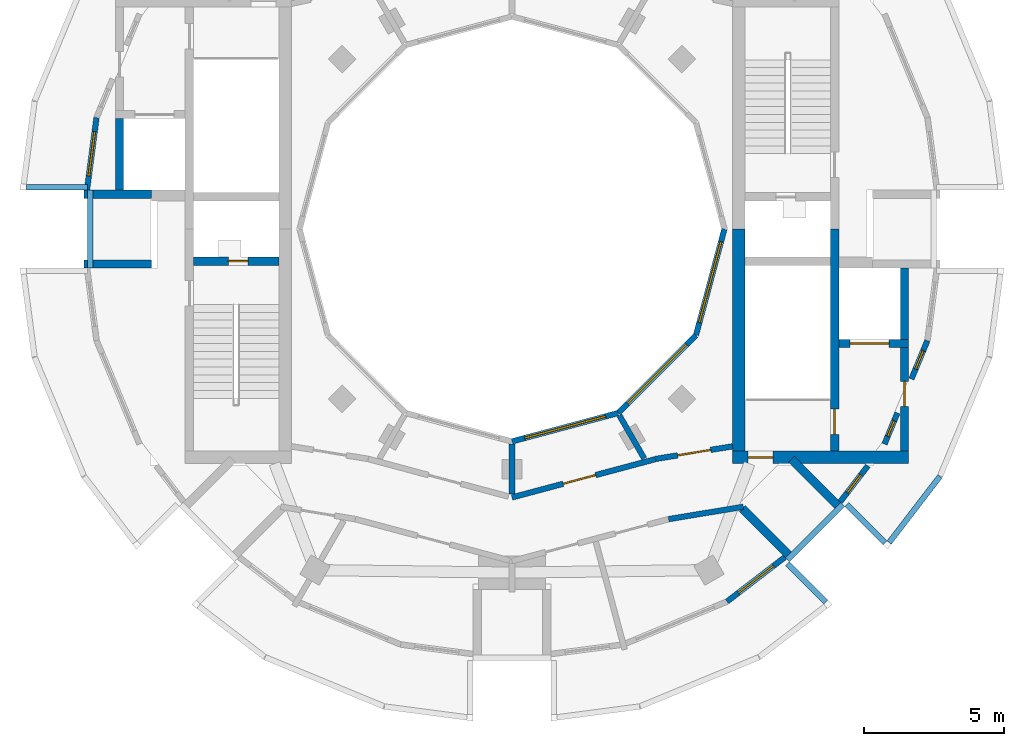
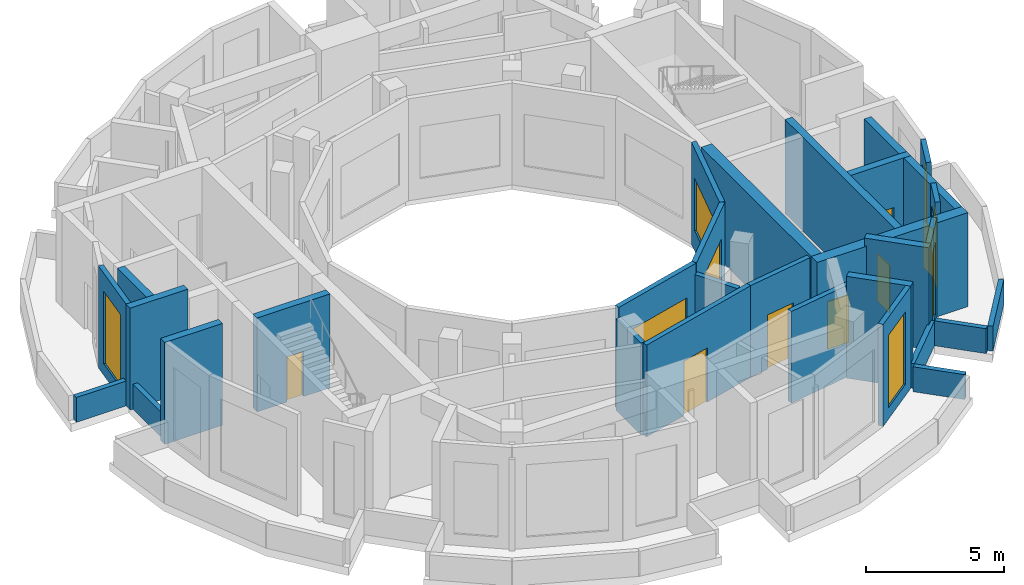
# One storey, part 3 of 7: 31 walls, 8 windows, 7 doors, 15 openings.
"""IFC4 building model written with IfcOpenShell, lengths in metres."""

from ifc_helpers import new_model, si_unit, direction, frame, frame_2d, origin, place, context, subcontext, project, spatial, rectangle, extrude, material, layer, layer_set, type_object, element, fill, save


model = new_model("IFC4")

# Units and contexts
model_context = context("Model", 3, precision=1e-05, world=origin(), true_north=direction((0.0, 1.0)))
body_context = subcontext(model_context, "Body", "Model", "MODEL_VIEW")
ifc_project = project(units=[si_unit("LENGTHUNIT", "METRE"), si_unit("AREAUNIT", "SQUARE_METRE"), si_unit("VOLUMEUNIT", "CUBIC_METRE"), si_unit("PLANEANGLEUNIT", "RADIAN"), si_unit("MASSUNIT", "GRAM", prefix="KILO")], contexts=[model_context])

# Site, building, storey
site_placement = place(None, origin())
site = spatial("IfcSite", under=ifc_project, at=site_placement, CompositionType="ELEMENT")
building_placement = place(site_placement, origin())
building = spatial("IfcBuilding", under=site, at=building_placement, Name="Torre Brocal", CompositionType="ELEMENT")
storey_placement = place(building_placement, frame((0.0, 0.0, 333.10009765625)))
storey = spatial("IfcBuildingStorey", under=building, at=storey_placement, Name="L76", CompositionType="ELEMENT", Elevation=333.10009765625)

# Wall, opening, door
ifc_material_1 = material(Name="Concrete C50", Category="concrete")
ifc_layer_1 = layer(ifc_material_1, 0.300048828125)
ifc_layer_set_1 = layer_set([ifc_layer_1], Name="Concrete C50")
wall_type_1 = type_object("IfcWallType", Name="CORE WALL 300 C50 UNDER 350 SLAB", PredefinedType="SHEAR", material=ifc_layer_set_1)
wall_1_placement = place(storey_placement, frame((91.550048828125, 67.050048828125, 0.0), z_axis=(0.0, 0.0, 1.0), x_axis=(0.0, 1.0, 0.0)))
wall_1 = element("IfcWall", 1, at=wall_1_placement, inside=storey, type_object=wall_type_1, Name="Wall CW300-50-S350", PredefinedType="SHEAR", context=body_context, shape_type="SweptSolid", body=[
    extrude(rectangle(XDim=7.949951171875, YDim=0.300048828125, at=frame_2d((3.97509765625, 0.0))), origin(), (0.0, 0.0, 1.0), 4.14990234375),
])
opening_1_placement = place(wall_1_placement, frame((0.60009765625, 0.0, 0.0)))
opening_1 = element("IfcOpeningElement", 2, at=opening_1_placement, cuts=wall_1, Name="Opening E-D03", PredefinedType="OPENING", context=body_context, shape_type="SweptSolid", body=[
    extrude(rectangle(XDim=0.89990234375, YDim=2.10009765625, at=frame_2d((0.449951171875, 1.050048828125))), frame((0.0, 0.159912109375, 0.0), z_axis=(0.0, -1.0, 0.0), x_axis=(1.0, 0.0, 0.0)), (0.0, 0.0, 1.0), 0.320068359375),
])
ifc_material_2 = material(Name="Steel A653", Category="steel")
door_type_1 = type_object("IfcDoorType", Name="STAIR DOOR FD120 900X2100", OperationType="SINGLE_SWING_RIGHT", PredefinedType="DOOR", material=ifc_material_2)
door_1_placement = place(opening_1_placement, origin())
door_1 = element("IfcDoor", 3, at=door_1_placement, inside=storey, type_object=door_type_1, Name="Door E-D03", OperationType="SINGLE_SWING_LEFT", OverallHeight=2.10009765625, OverallWidth=0.89990234375, PredefinedType="DOOR", context=body_context, shape_type="SweptSolid", body=[
    extrude(rectangle(XDim=0.89990234375, YDim=2.10009765625, at=frame_2d((0.449951171875, 1.050048828125))), frame((0.0, 0.02490234375, 0.0), z_axis=(0.0, -1.0, 0.0), x_axis=(1.0, 0.0, 0.0)), (0.0, 0.0, 1.0), 0.050048828125),
])
fill(opening_1, door_1)

wall_2_placement = place(storey_placement, frame((91.699951171875, 70.89990234375, 0.0), z_axis=(0.0, 0.0, 1.0), x_axis=(1.0, 0.0, 0.0)))
wall_2 = element("IfcWall", 4, at=wall_2_placement, inside=storey, type_object=wall_type_1, Name="Wall CW300-50-S350", PredefinedType="SHEAR", context=body_context, shape_type="SweptSolid", body=[
    extrude(rectangle(XDim=2.5, YDim=0.300048828125, at=frame_2d((1.25, 0.0))), origin(), (0.0, 0.0, 1.0), 4.14990234375),
])
opening_2_placement = place(wall_2_placement, frame((0.39990234375, 0.0, 0.0)))
opening_2 = element("IfcOpeningElement", 5, at=opening_2_placement, cuts=wall_2, Name="Opening LD14", PredefinedType="OPENING", context=body_context, shape_type="SweptSolid", body=[
    extrude(rectangle(XDim=1.39990234375, YDim=2.10009765625, at=frame_2d((0.699951171875, 1.050048828125))), frame((0.0, 0.159912109375, 0.0), z_axis=(0.0, -1.0, 0.0), x_axis=(1.0, 0.0, 0.0)), (0.0, 0.0, 1.0), 0.320068359375),
])
ifc_material_3 = material(Name="Stainless steel AISI 316", Category="steel")
door_type_2 = type_object("IfcDoorType", Name="LIFT LANDING DOOR 1400X2100", OperationType="DOUBLE_DOOR_SLIDING", PredefinedType="DOOR", material=ifc_material_3)
door_2_placement = place(opening_2_placement, origin())
door_2 = element("IfcDoor", 6, at=door_2_placement, inside=storey, type_object=door_type_2, Name="Door LD14", OperationType="DOUBLE_DOOR_SLIDING", OverallHeight=2.10009765625, OverallWidth=1.39990234375, PredefinedType="DOOR", context=body_context, shape_type="SweptSolid", body=[
    extrude(rectangle(XDim=1.39990234375, YDim=2.10009765625, at=frame_2d((0.699951171875, 1.050048828125))), frame((0.0, 0.02490234375, 0.0), z_axis=(0.0, -1.0, 0.0), x_axis=(1.0, 0.0, 0.0)), (0.0, 0.0, 1.0), 0.050048828125),
])
fill(opening_2, door_2)

# Wall
wall_3_placement = place(storey_placement, frame((94.050048828125, 71.050048828125, 0.0), z_axis=(0.0, 0.0, 1.0), x_axis=(0.0, 1.0, 0.0)))
element("IfcWall", 7, at=wall_3_placement, inside=storey, type_object=wall_type_1, Name="Wall CW300-50-S350", PredefinedType="SHEAR", context=body_context, shape_type="SweptSolid", body=[
    extrude(rectangle(XDim=2.550048828125, YDim=0.300048828125, at=frame_2d((1.27490234375, 0.0))), origin(), (0.0, 0.0, 1.0), 4.14990234375),
])

# Wall, opening, door
wall_4_placement = place(storey_placement, frame((94.050048828125, 67.050048828125, 0.0), z_axis=(0.0, 0.0, 1.0), x_axis=(0.0, 1.0, 0.0)))
wall_4 = element("IfcWall", 8, at=wall_4_placement, inside=storey, type_object=wall_type_1, Name="Wall CW300-50-S350", PredefinedType="SHEAR", context=body_context, shape_type="SweptSolid", body=[
    extrude(rectangle(XDim=3.699951171875, YDim=0.300048828125, at=frame_2d((1.85009765625, 0.0))), origin(), (0.0, 0.0, 1.0), 4.14990234375),
])
opening_3_placement = place(wall_4_placement, frame((1.60009765625, 0.0, 0.0)))
opening_3 = element("IfcOpeningElement", 9, at=opening_3_placement, cuts=wall_4, Name="Opening E-D04", PredefinedType="OPENING", context=body_context, shape_type="SweptSolid", body=[
    extrude(rectangle(XDim=0.89990234375, YDim=2.10009765625, at=frame_2d((0.449951171875, 1.050048828125))), frame((0.0, 0.159912109375, 0.0), z_axis=(0.0, -1.0, 0.0), x_axis=(1.0, 0.0, 0.0)), (0.0, 0.0, 1.0), 0.320068359375),
])
ifc_material_4 = material(Name="Steel A653", Category="steel")
door_type_3 = type_object("IfcDoorType", Name="ROOM DOOR FD30S 900X2100", OperationType="SINGLE_SWING_LEFT", PredefinedType="DOOR", material=ifc_material_4)
door_3_placement = place(opening_3_placement, frame((0.89990234375, 0.0, 0.0), z_axis=(0.0, 0.0, 1.0), x_axis=(-1.0, 0.0, 0.0)))
door_3 = element("IfcDoor", 10, at=door_3_placement, inside=storey, type_object=door_type_3, Name="Door E-D04", OperationType="SINGLE_SWING_LEFT", OverallHeight=2.10009765625, OverallWidth=0.89990234375, PredefinedType="DOOR", context=body_context, shape_type="SweptSolid", body=[
    extrude(rectangle(XDim=0.89990234375, YDim=2.10009765625, at=frame_2d((0.449951171875, 1.050048828125))), frame((0.0, 0.02490234375, 0.0), z_axis=(0.0, -1.0, 0.0), x_axis=(1.0, 0.0, 0.0)), (0.0, 0.0, 1.0), 0.050048828125),
])
fill(opening_3, door_3)

wall_5_placement = place(storey_placement, frame((71.64990234375, 73.85009765625, 0.0), z_axis=(0.0, 0.0, 1.0), x_axis=(-1.0, 0.0, 0.0)))
wall_5 = element("IfcWall", 11, at=wall_5_placement, inside=storey, type_object=wall_type_1, Name="Wall CW300-50-S350", PredefinedType="SHEAR", context=body_context, shape_type="SweptSolid", body=[
    extrude(rectangle(XDim=3.0498046875, YDim=0.300048828125, at=frame_2d((1.52490234375, 0.0))), origin(), (0.0, 0.0, 1.0), 4.14990234375),
])
opening_4_placement = place(wall_5_placement, frame((1.10009765625, 0.0, 0.0)))
opening_4 = element("IfcOpeningElement", 12, at=opening_4_placement, cuts=wall_5, Name="Opening W-D01", PredefinedType="OPENING", context=body_context, shape_type="SweptSolid", body=[
    extrude(rectangle(XDim=0.699951171875, YDim=2.0, at=frame_2d((0.35009765625, 1.0))), frame((0.0, 0.159912109375, 0.0), z_axis=(0.0, -1.0, 0.0), x_axis=(1.0, 0.0, 0.0)), (0.0, 0.0, 1.0), 0.320068359375),
])
ifc_material_5 = material(Name="Steel A653", Category="steel")
door_type_4 = type_object("IfcDoorType", Name="RISER DOOR FD120 700X2000", OperationType="SINGLE_SWING_LEFT", PredefinedType="DOOR", material=ifc_material_5)
door_4_placement = place(opening_4_placement, frame((0.699951171875, 0.0, 0.0), z_axis=(0.0, 0.0, 1.0), x_axis=(-1.0, 0.0, 0.0)))
door_4 = element("IfcDoor", 13, at=door_4_placement, inside=storey, type_object=door_type_4, Name="Door W-D01", OperationType="SINGLE_SWING_RIGHT", OverallHeight=2.0, OverallWidth=0.699951171875, PredefinedType="DOOR", context=body_context, shape_type="SweptSolid", body=[
    extrude(rectangle(XDim=0.699951171875, YDim=2.0, at=frame_2d((0.35009765625, 1.0))), frame((0.0, 0.02490234375, 0.0), z_axis=(0.0, -1.0, 0.0), x_axis=(1.0, 0.0, 0.0)), (0.0, 0.0, 1.0), 0.050048828125),
])
fill(opening_4, door_4)

# Wall
wall_6_placement = place(storey_placement, frame((65.949951171875, 78.949951171875, 0.0), z_axis=(0.0, 0.0, 1.0), x_axis=(0.0, -1.0, 0.0)))
element("IfcWall", 14, at=wall_6_placement, inside=storey, type_object=wall_type_1, Name="Wall CW300-50-S350", PredefinedType="SHEAR", context=body_context, shape_type="SweptSolid", body=[
    extrude(rectangle(XDim=2.550048828125, YDim=0.300048828125, at=frame_2d((1.27490234375, 0.0))), origin(), (0.0, 0.0, 1.0), 4.14990234375),
])

# Wall, opening, door
ifc_material_6 = material(Name="Concrete C50", Category="concrete")
ifc_layer_2 = layer(ifc_material_6, 0.449951171875)
ifc_layer_set_2 = layer_set([ifc_layer_2], Name="Concrete C50")
wall_type_2 = type_object("IfcWallType", Name="CORE WALL 450 C50 UNDER 350 SLAB", PredefinedType="SHEAR", material=ifc_layer_set_2)
wall_7_placement = place(storey_placement, frame((87.89990234375, 66.824951171875, 0.0), z_axis=(0.0, 0.0, 1.0), x_axis=(1.0, 0.0, 0.0)))
wall_7 = element("IfcWall", 15, at=wall_7_placement, inside=storey, type_object=wall_type_2, Name="Wall CW450-50-S350", PredefinedType="SHEAR", context=body_context, shape_type="SweptSolid", body=[
    extrude(rectangle(XDim=6.300048828125, YDim=0.449951171875, at=frame_2d((3.14990234375, 0.0))), origin(), (0.0, 0.0, 1.0), 4.14990234375),
])
opening_5_placement = place(wall_7_placement, frame((0.550048828125, 0.0, 0.0)))
opening_5 = element("IfcOpeningElement", 16, at=opening_5_placement, cuts=wall_7, Name="Opening E-D20", PredefinedType="OPENING", context=body_context, shape_type="SweptSolid", body=[
    extrude(rectangle(XDim=0.89990234375, YDim=2.10009765625, at=frame_2d((0.449951171875, 1.050048828125))), frame((0.0, 0.23486328125, 0.0), z_axis=(0.0, -1.0, 0.0), x_axis=(1.0, 0.0, 0.0)), (0.0, 0.0, 1.0), 0.469970703125),
])
door_5_placement = place(opening_5_placement, origin())
door_5 = element("IfcDoor", 17, at=door_5_placement, inside=storey, type_object=door_type_1, Name="Door E-D20", OperationType="SINGLE_SWING_LEFT", OverallHeight=2.10009765625, OverallWidth=0.89990234375, PredefinedType="DOOR", context=body_context, shape_type="SweptSolid", body=[
    extrude(rectangle(XDim=0.89990234375, YDim=2.10009765625, at=frame_2d((0.449951171875, 1.050048828125))), frame((0.0, 0.02490234375, 0.0), z_axis=(0.0, -1.0, 0.0), x_axis=(1.0, 0.0, 0.0)), (0.0, 0.0, 1.0), 0.050048828125),
])
fill(opening_5, door_5)

# Wall
wall_8_placement = place(storey_placement, frame((88.125, 67.050048828125, 0.0), z_axis=(0.0, 0.0, 1.0), x_axis=(0.0, 1.0, 0.0)))
element("IfcWall", 18, at=wall_8_placement, inside=storey, type_object=wall_type_2, Name="Wall CW450-50-S350", PredefinedType="SHEAR", context=body_context, shape_type="SweptSolid", body=[
    extrude(rectangle(XDim=7.949951171875, YDim=0.449951171875, at=frame_2d((3.97509765625, 0.0))), origin(), (0.0, 0.0, 1.0), 4.14990234375),
])

# Wall, opening, window
ifc_material_7 = material(Name="Concrete C40", Category="concrete")
ifc_layer_3 = layer(ifc_material_7, 0.199951171875)
ifc_layer_set_3 = layer_set([ifc_layer_3], Name="Concrete C40")
wall_type_3 = type_object("IfcWallType", Name="LOUVRED PLANT WALL 200", PredefinedType="NOTDEFINED", material=ifc_layer_set_3)
wall_9_placement = place(storey_placement, frame((65.12548828125, 78.985595703125, 0.0), z_axis=(0.0, 0.0, 1.0), x_axis=(-0.130495678972, -0.991448878041, 0.0)))
wall_9 = element("IfcWall", 19, at=wall_9_placement, inside=storey, type_object=wall_type_3, Name="LOUVRED PLANT WALL", PredefinedType="NOTDEFINED", context=body_context, shape_type="SweptSolid", body=[
    extrude(rectangle(XDim=2.60791015625, YDim=0.199951171875, at=frame_2d((1.303955078125, 0.0))), origin(), (0.0, 0.0, 1.0), 4.5),
])
opening_6_placement = place(wall_9_placement, frame((0.50390625, 0.0, 0.5)))
opening_6 = element("IfcOpeningElement", 20, at=opening_6_placement, cuts=wall_9, Name="Opening LV-1600-3200", PredefinedType="OPENING", context=body_context, shape_type="SweptSolid", body=[
    extrude(rectangle(XDim=1.60009765625, YDim=3.199951171875, at=frame_2d((0.800048828125, 1.60009765625))), frame((0.0, 0.10986328125, 0.0), z_axis=(0.0, -1.0, 0.0), x_axis=(1.0, 0.0, 0.0)), (0.0, 0.0, 1.0), 0.219970703125),
])
ifc_material_8 = material(Name="Aluminium louvre", Category="aluminium")
window_type_1 = type_object("IfcWindowType", Name="LOUVRE PANEL 1600X3200", PartitioningType="SINGLE_PANEL", PredefinedType="USERDEFINED", material=ifc_material_8)
window_1_placement = place(opening_6_placement, origin())
window_1 = element("IfcWindow", 21, at=window_1_placement, inside=storey, type_object=window_type_1, Name="LOUVRE PANEL 1600X3200", ObjectType="LOUVRE", OverallHeight=3.199951171875, OverallWidth=1.60009765625, PartitioningType="SINGLE_PANEL", PredefinedType="USERDEFINED", context=body_context, shape_type="SweptSolid", body=[
    extrude(rectangle(XDim=1.60009765625, YDim=3.199951171875, at=frame_2d((0.800048828125, 1.60009765625))), frame((0.0, 0.030029296875, 0.0), z_axis=(0.0, -1.0, 0.0), x_axis=(1.0, 0.0, 0.0)), (0.0, 0.0, 1.0), 0.06005859375),
])
fill(opening_6, window_1)

wall_10_placement = place(storey_placement, frame((87.699462890625, 61.6640625, 0.0), z_axis=(0.0, 0.0, 1.0), x_axis=(0.793402901715, 0.608696833859, 0.0)))
wall_10 = element("IfcWall", 22, at=wall_10_placement, inside=storey, type_object=wall_type_3, Name="LOUVRED PLANT WALL", PredefinedType="NOTDEFINED", context=body_context, shape_type="SweptSolid", body=[
    extrude(rectangle(XDim=2.60791015625, YDim=0.199951171875, at=frame_2d((1.303955078125, 0.0))), origin(), (0.0, 0.0, 1.0), 4.5),
])
opening_7_placement = place(wall_10_placement, frame((0.50390625, 0.0, 0.5)))
opening_7 = element("IfcOpeningElement", 23, at=opening_7_placement, cuts=wall_10, Name="Opening LV-1600-3200", PredefinedType="OPENING", context=body_context, shape_type="SweptSolid", body=[
    extrude(rectangle(XDim=1.60009765625, YDim=3.199951171875, at=frame_2d((0.800048828125, 1.60009765625))), frame((0.0, 0.10986328125, 0.0), z_axis=(0.0, -1.0, 0.0), x_axis=(1.0, 0.0, 0.0)), (0.0, 0.0, 1.0), 0.219970703125),
])
window_2_placement = place(opening_7_placement, origin())
window_2 = element("IfcWindow", 24, at=window_2_placement, inside=storey, type_object=window_type_1, Name="LOUVRE PANEL 1600X3200", ObjectType="LOUVRE", OverallHeight=3.199951171875, OverallWidth=1.60009765625, PartitioningType="SINGLE_PANEL", PredefinedType="USERDEFINED", context=body_context, shape_type="SweptSolid", body=[
    extrude(rectangle(XDim=1.60009765625, YDim=3.199951171875, at=frame_2d((0.800048828125, 1.60009765625))), frame((0.0, 0.030029296875, 0.0), z_axis=(0.0, -1.0, 0.0), x_axis=(1.0, 0.0, 0.0)), (0.0, 0.0, 1.0), 0.06005859375),
])
fill(opening_7, window_2)

wall_11_placement = place(storey_placement, frame((91.74853515625, 65.2314453125, 0.0), z_axis=(0.0, 0.0, 1.0), x_axis=(0.608711363192, 0.793391754633, 0.0)))
wall_11 = element("IfcWall", 25, at=wall_11_placement, inside=storey, type_object=wall_type_3, Name="LOUVRED PLANT WALL", PredefinedType="NOTDEFINED", context=body_context, shape_type="SweptSolid", body=[
    extrude(rectangle(XDim=1.6298828125, YDim=0.199951171875, at=frame_2d((0.81494140625, 0.0))), origin(), (0.0, 0.0, 1.0), 4.5),
])
opening_8_placement = place(wall_11_placement, frame((0.4150390625, 0.0, 0.5)))
opening_8 = element("IfcOpeningElement", 26, at=opening_8_placement, cuts=wall_11, Name="Opening LV-800-3200", PredefinedType="OPENING", context=body_context, shape_type="SweptSolid", body=[
    extrude(rectangle(XDim=0.800048828125, YDim=3.199951171875, at=frame_2d((0.39990234375, 1.60009765625))), frame((0.0, 0.10986328125, 0.0), z_axis=(0.0, -1.0, 0.0), x_axis=(1.0, 0.0, 0.0)), (0.0, 0.0, 1.0), 0.219970703125),
])
ifc_material_9 = material(Name="Aluminium louvre", Category="aluminium")
window_type_2 = type_object("IfcWindowType", Name="LOUVRE PANEL 800X3200", PartitioningType="SINGLE_PANEL", PredefinedType="USERDEFINED", material=ifc_material_9)
window_3_placement = place(opening_8_placement, origin())
window_3 = element("IfcWindow", 27, at=window_3_placement, inside=storey, type_object=window_type_2, Name="LOUVRE PANEL 800X3200", ObjectType="LOUVRE", OverallHeight=3.199951171875, OverallWidth=0.800048828125, PartitioningType="SINGLE_PANEL", PredefinedType="USERDEFINED", context=body_context, shape_type="SweptSolid", body=[
    extrude(rectangle(XDim=0.800048828125, YDim=3.199951171875, at=frame_2d((0.39990234375, 1.60009765625))), frame((0.0, 0.030029296875, 0.0), z_axis=(0.0, -1.0, 0.0), x_axis=(1.0, 0.0, 0.0)), (0.0, 0.0, 1.0), 0.06005859375),
])
fill(opening_8, window_3)

wall_12_placement = place(storey_placement, frame((93.3359375, 67.300537109375, 0.0), z_axis=(0.0, 0.0, 1.0), x_axis=(0.382809221062, 0.923827419094, 0.0)))
wall_12 = element("IfcWall", 28, at=wall_12_placement, inside=storey, type_object=wall_type_3, Name="LOUVRED PLANT WALL", PredefinedType="NOTDEFINED", context=body_context, shape_type="SweptSolid", body=[
    extrude(rectangle(XDim=1.209716796875, YDim=0.199951171875, at=frame_2d((0.60498046875, 0.0))), origin(), (0.0, 0.0, 1.0), 4.5),
])
opening_9_placement = place(wall_12_placement, frame((0.304931640625, 0.0, 0.5)))
opening_9 = element("IfcOpeningElement", 29, at=opening_9_placement, cuts=wall_12, Name="Opening LV-600-3200", PredefinedType="OPENING", context=body_context, shape_type="SweptSolid", body=[
    extrude(rectangle(XDim=0.60009765625, YDim=3.199951171875, at=frame_2d((0.300048828125, 1.60009765625))), frame((0.0, 0.10986328125, 0.0), z_axis=(0.0, -1.0, 0.0), x_axis=(1.0, 0.0, 0.0)), (0.0, 0.0, 1.0), 0.219970703125),
])
ifc_material_10 = material(Name="Aluminium louvre", Category="aluminium")
window_type_3 = type_object("IfcWindowType", Name="LOUVRE PANEL 600X3200", PartitioningType="SINGLE_PANEL", PredefinedType="USERDEFINED", material=ifc_material_10)
window_4_placement = place(opening_9_placement, origin())
window_4 = element("IfcWindow", 30, at=window_4_placement, inside=storey, type_object=window_type_3, Name="LOUVRE PANEL 600X3200", ObjectType="LOUVRE", OverallHeight=3.199951171875, OverallWidth=0.60009765625, PartitioningType="SINGLE_PANEL", PredefinedType="USERDEFINED", context=body_context, shape_type="SweptSolid", body=[
    extrude(rectangle(XDim=0.60009765625, YDim=3.199951171875, at=frame_2d((0.300048828125, 1.60009765625))), frame((0.0, 0.030029296875, 0.0), z_axis=(0.0, -1.0, 0.0), x_axis=(1.0, 0.0, 0.0)), (0.0, 0.0, 1.0), 0.06005859375),
])
fill(opening_9, window_4)

wall_13_placement = place(storey_placement, frame((94.30029296875, 69.628662109375, 0.0), z_axis=(0.0, 0.0, 1.0), x_axis=(0.38277629043, 0.923841063974, 0.0)))
wall_13 = element("IfcWall", 31, at=wall_13_placement, inside=storey, type_object=wall_type_3, Name="LOUVRED PLANT WALL", PredefinedType="NOTDEFINED", context=body_context, shape_type="SweptSolid", body=[
    extrude(rectangle(XDim=1.489990234375, YDim=0.199951171875, at=frame_2d((0.7451171875, 0.0))), origin(), (0.0, 0.0, 1.0), 4.5),
])
opening_10_placement = place(wall_13_placement, frame((0.39501953125, 0.0, 0.5)))
opening_10 = element("IfcOpeningElement", 32, at=opening_10_placement, cuts=wall_13, Name="Opening LV-700-3200", PredefinedType="OPENING", context=body_context, shape_type="SweptSolid", body=[
    extrude(rectangle(XDim=0.699951171875, YDim=3.199951171875, at=frame_2d((0.35009765625, 1.60009765625))), frame((0.0, 0.10986328125, 0.0), z_axis=(0.0, -1.0, 0.0), x_axis=(1.0, 0.0, 0.0)), (0.0, 0.0, 1.0), 0.219970703125),
])
ifc_material_11 = material(Name="Aluminium louvre", Category="aluminium")
window_type_4 = type_object("IfcWindowType", Name="LOUVRE PANEL 700X3200", PartitioningType="SINGLE_PANEL", PredefinedType="USERDEFINED", material=ifc_material_11)
window_5_placement = place(opening_10_placement, origin())
window_5 = element("IfcWindow", 33, at=window_5_placement, inside=storey, type_object=window_type_4, Name="LOUVRE PANEL 700X3200", ObjectType="LOUVRE", OverallHeight=3.199951171875, OverallWidth=0.699951171875, PartitioningType="SINGLE_PANEL", PredefinedType="USERDEFINED", context=body_context, shape_type="SweptSolid", body=[
    extrude(rectangle(XDim=0.699951171875, YDim=3.199951171875, at=frame_2d((0.35009765625, 1.60009765625))), frame((0.0, 0.030029296875, 0.0), z_axis=(0.0, -1.0, 0.0), x_axis=(1.0, 0.0, 0.0)), (0.0, 0.0, 1.0), 0.06005859375),
])
fill(opening_10, window_5)

# Walls
ifc_material_12 = material(Name="Concrete C50", Category="concrete")
ifc_layer_4 = layer(ifc_material_12, 0.300048828125)
ifc_layer_set_4 = layer_set([ifc_layer_4], Name="Concrete C50")
wall_type_4 = type_object("IfcWallType", Name="NOTCH RETURN WALL 300 C50", PredefinedType="NOTDEFINED", material=ifc_layer_set_4)
for number, where, z_axis, x_axis, name in (
    (34, (67.10009765625, 76.25, 0.0), (0.0, 0.0, 1.0), (-1.0, 0.0, 0.0), "NOTCH RETURN WALL"),
    (35, (67.10009765625, 73.75, 0.0), (0.0, 0.0, 1.0), (-1.0, 0.0, 0.0), "NOTCH RETURN WALL"),
    (36, (88.23779296875, 64.994384765625, 0.0), (0.0, 0.0, 1.0), (0.707157312274, -0.707056246487, 0.0), "NOTCH RETURN WALL"),
    (37, (90.005615234375, 66.76220703125, 0.0), (0.0, 0.0, 1.0), (0.707056246487, -0.707157312274, 0.0), "NOTCH RETURN WALL"),
):
    element("IfcWall", number, at=place(storey_placement, frame(where, z_axis=z_axis, x_axis=x_axis)), inside=storey, type_object=wall_type_4, Name=name, PredefinedType="NOTDEFINED", context=body_context, shape_type="SweptSolid", body=[
        extrude(rectangle(XDim=2.415771484375, YDim=0.300048828125, at=frame_2d((1.2080078125, 0.0))), origin(), (0.0, 0.0, 1.0), 4.5),
    ])
ifc_material_13 = material(Name="Concrete C40", Category="concrete")
ifc_layer_5 = layer(ifc_material_13, 0.199951171875)
ifc_layer_set_5 = layer_set([ifc_layer_5], Name="Concrete C40")
wall_type_5 = type_object("IfcWallType", Name="PARAPET WALL 200 THICK 1100 HIGH 8", PredefinedType="PARAPET", material=ifc_layer_set_5)
wall_14_placement = place(storey_placement, frame((95.318359375, 66.140869140625, 0.0), z_axis=(0.0, 0.0, 1.0), x_axis=(-0.608760025056, -0.79335441758, 0.0)))
element("IfcWall", 38, at=wall_14_placement, inside=storey, type_object=wall_type_5, Name="PARAPET WALL 8", PredefinedType="PARAPET", context=body_context, shape_type="SweptSolid", body=[
    extrude(rectangle(XDim=2.979736328125, YDim=0.199951171875, at=frame_2d((1.48974609375, 0.0))), origin(), (0.0, 0.0, 1.0), 1.099853515625),
])
wall_15_placement = place(storey_placement, frame((93.354248046875, 63.76708984375, 0.0), z_axis=(0.0, 0.0, 1.0), x_axis=(-0.707169839712, 0.707043717037, 0.0)))
element("IfcWall", 39, at=wall_15_placement, inside=storey, type_object=wall_type_5, Name="PARAPET WALL 9", PredefinedType="PARAPET", context=body_context, shape_type="SweptSolid", body=[
    extrude(rectangle(XDim=1.935791015625, YDim=0.199951171875, at=frame_2d((0.9677734375, 0.0))), origin(), (0.0, 0.0, 1.0), 1.099853515625),
])
wall_16_placement = place(storey_placement, frame((91.843994140625, 65.1357421875, 0.0), z_axis=(0.0, 0.0, 1.0), x_axis=(-0.707106781187, -0.707106781187, 0.0)))
element("IfcWall", 40, at=wall_16_placement, inside=storey, type_object=wall_type_5, Name="PARAPET WALL 10", PredefinedType="PARAPET", context=body_context, shape_type="SweptSolid", body=[
    extrude(rectangle(XDim=2.7998046875, YDim=0.199951171875, at=frame_2d((1.39990234375, 0.0))), origin(), (0.0, 0.0, 1.0), 1.099853515625),
])
wall_17_placement = place(storey_placement, frame((89.8642578125, 63.0146484375, 0.0), z_axis=(0.0, 0.0, 1.0), x_axis=(0.707043717037, -0.707169839712, 0.0)))
element("IfcWall", 41, at=wall_17_placement, inside=storey, type_object=wall_type_5, Name="PARAPET WALL 11", PredefinedType="PARAPET", context=body_context, shape_type="SweptSolid", body=[
    extrude(rectangle(XDim=1.935791015625, YDim=0.199951171875, at=frame_2d((0.9677734375, 0.0))), origin(), (0.0, 0.0, 1.0), 1.099853515625),
])
wall_18_placement = place(storey_placement, frame((64.89990234375, 73.60009765625, 0.0), z_axis=(0.0, 0.0, 1.0), x_axis=(0.0, 1.0, 0.0)))
element("IfcWall", 42, at=wall_18_placement, inside=storey, type_object=wall_type_5, Name="PARAPET WALL 28", PredefinedType="PARAPET", context=body_context, shape_type="SweptSolid", body=[
    extrude(rectangle(XDim=2.7998046875, YDim=0.199951171875, at=frame_2d((1.39990234375, 0.0))), origin(), (0.0, 0.0, 1.0), 1.099853515625),
])
wall_19_placement = place(storey_placement, frame((64.800048828125, 76.5, 0.0), z_axis=(0.0, 0.0, 1.0), x_axis=(-1.0, 0.0, 0.0)))
element("IfcWall", 43, at=wall_19_placement, inside=storey, type_object=wall_type_5, Name="PARAPET WALL 29", PredefinedType="PARAPET", context=body_context, shape_type="SweptSolid", body=[
    extrude(rectangle(XDim=2.18603515625, YDim=0.199951171875, at=frame_2d((1.093017578125, 0.0))), origin(), (0.0, 0.0, 1.0), 1.099853515625),
])
ifc_material_14 = material(Name="Masonry block", Category="masonry")
ifc_layer_6 = layer(ifc_material_14, 0.199951171875)
ifc_layer_set_6 = layer_set([ifc_layer_6], Name="Masonry block")
wall_type_6 = type_object("IfcWallType", Name="PARTITION 200 EI120", PredefinedType="PARTITIONING", material=ifc_layer_set_6)
wall_20_placement = place(storey_placement, frame((80.0, 65.51904296875, 0.0), z_axis=(0.0, 0.0, 1.0), x_axis=(0.0, 1.0, 0.0)))
element("IfcWall", 44, at=wall_20_placement, inside=storey, type_object=wall_type_6, Name="PLANT ROOM WALL", PredefinedType="PARTITIONING", context=body_context, shape_type="SweptSolid", body=[
    extrude(rectangle(XDim=1.781982421875, YDim=0.199951171875, at=frame_2d((0.89111328125, 0.0))), origin(), (0.0, 0.0, 1.0), 4.0498046875),
])

# Wall, opening, door
wall_21_placement = place(storey_placement, frame((79.99951171875, 65.390380859375, 0.0), z_axis=(0.0, 0.0, 1.0), x_axis=(0.966134201203, 0.258040123363, 0.0)))
wall_21 = element("IfcWall", 45, at=wall_21_placement, inside=storey, type_object=wall_type_6, Name="PLANT ROOM WALL", PredefinedType="PARTITIONING", context=body_context, shape_type="SweptSolid", body=[
    extrude(rectangle(XDim=5.3134765625, YDim=0.199951171875, at=frame_2d((2.65673828125, 0.0))), origin(), (0.0, 0.0, 1.0), 4.0498046875),
])
opening_11_placement = place(wall_21_placement, frame((1.897216796875, 0.0, 0.0)))
opening_11 = element("IfcOpeningElement", 46, at=opening_11_placement, cuts=wall_21, Name="Opening X5-D14", PredefinedType="OPENING", context=body_context, shape_type="SweptSolid", body=[
    extrude(rectangle(XDim=1.199951171875, YDim=2.39990234375, at=frame_2d((0.60009765625, 1.199951171875))), frame((0.0, 0.10986328125, 0.0), z_axis=(0.0, -1.0, 0.0), x_axis=(1.0, 0.0, 0.0)), (0.0, 0.0, 1.0), 0.219970703125),
])
ifc_material_15 = material(Name="Steel A653", Category="steel")
door_type_5 = type_object("IfcDoorType", Name="PLANT DOOR FD90 1200X2400", OperationType="SINGLE_SWING_RIGHT", PredefinedType="DOOR", material=ifc_material_15)
door_6_placement = place(opening_11_placement, origin())
door_6 = element("IfcDoor", 47, at=door_6_placement, inside=storey, type_object=door_type_5, Name="X5-D14", OperationType="SINGLE_SWING_RIGHT", OverallHeight=2.39990234375, OverallWidth=1.199951171875, PredefinedType="DOOR", context=body_context, shape_type="SweptSolid", body=[
    extrude(rectangle(XDim=1.199951171875, YDim=2.39990234375, at=frame_2d((0.60009765625, 1.199951171875))), frame((0.0, 0.02490234375, 0.0), z_axis=(0.0, -1.0, 0.0), x_axis=(1.0, 0.0, 0.0)), (0.0, 0.0, 1.0), 0.050048828125),
])
fill(opening_11, door_6)

# Wall
wall_22_placement = place(storey_placement, frame((83.84326171875, 68.32958984375, 0.0), z_axis=(0.0, 0.0, 1.0), x_axis=(0.499631524239, -0.866238038871, 0.0)))
element("IfcWall", 48, at=wall_22_placement, inside=storey, type_object=wall_type_6, Name="PLANT ROOM WALL", PredefinedType="PARTITIONING", context=body_context, shape_type="SweptSolid", body=[
    extrude(rectangle(XDim=1.781982421875, YDim=0.199951171875, at=frame_2d((0.89111328125, 0.0))), origin(), (0.0, 0.0, 1.0), 4.0498046875),
])

# Wall, opening, door
wall_23_placement = place(storey_placement, frame((85.14208984375, 66.76708984375, 0.0), z_axis=(0.0, 0.0, 1.0), x_axis=(0.986671073711, 0.16272735573, 0.0)))
wall_23 = element("IfcWall", 49, at=wall_23_placement, inside=storey, type_object=wall_type_6, Name="PLANT ROOM WALL", PredefinedType="PARTITIONING", context=body_context, shape_type="SweptSolid", body=[
    extrude(rectangle(XDim=2.795166015625, YDim=0.199951171875, at=frame_2d((1.3974609375, 0.0))), origin(), (0.0, 0.0, 1.0), 4.0498046875),
])
opening_12_placement = place(wall_23_placement, frame((0.797607421875, 0.0, 0.0)))
opening_12 = element("IfcOpeningElement", 50, at=opening_12_placement, cuts=wall_23, Name="Opening X5-D13", PredefinedType="OPENING", context=body_context, shape_type="SweptSolid", body=[
    extrude(rectangle(XDim=1.199951171875, YDim=2.39990234375, at=frame_2d((0.60009765625, 1.199951171875))), frame((0.0, 0.10986328125, 0.0), z_axis=(0.0, -1.0, 0.0), x_axis=(1.0, 0.0, 0.0)), (0.0, 0.0, 1.0), 0.219970703125),
])
door_7_placement = place(opening_12_placement, origin())
door_7 = element("IfcDoor", 51, at=door_7_placement, inside=storey, type_object=door_type_5, Name="X5-D13", OperationType="SINGLE_SWING_RIGHT", OverallHeight=2.39990234375, OverallWidth=1.199951171875, PredefinedType="DOOR", context=body_context, shape_type="SweptSolid", body=[
    extrude(rectangle(XDim=1.199951171875, YDim=2.39990234375, at=frame_2d((0.60009765625, 1.199951171875))), frame((0.0, 0.02490234375, 0.0), z_axis=(0.0, -1.0, 0.0), x_axis=(1.0, 0.0, 0.0)), (0.0, 0.0, 1.0), 0.050048828125),
])
fill(opening_12, door_7)

# Wall
wall_24_placement = place(storey_placement, frame((85.60791015625, 64.614013671875, 0.0), z_axis=(0.0, 0.0, 1.0), x_axis=(0.986607186374, 0.163114253806, 0.0)))
element("IfcWall", 52, at=wall_24_placement, inside=storey, type_object=wall_type_6, Name="PLANT ROOM WALL", PredefinedType="PARTITIONING", context=body_context, shape_type="SweptSolid", body=[
    extrude(rectangle(XDim=2.712158203125, YDim=0.199951171875, at=frame_2d((1.35595703125, 0.0))), origin(), (0.0, 0.0, 1.0), 4.0498046875),
])

# Wall, opening, window
ifc_material_16 = material(Name="Concrete C40", Category="concrete")
ifc_layer_7 = layer(ifc_material_16, 0.199951171875)
ifc_layer_set_7 = layer_set([ifc_layer_7], Name="Concrete C40")
wall_type_7 = type_object("IfcWallType", Name="WELL FACADE WALL 200", PredefinedType="NOTDEFINED", material=ifc_layer_set_7)
wall_25_placement = place(storey_placement, frame((80.0, 67.396484375, 0.0), z_axis=(0.0, 0.0, 1.0), x_axis=(0.965933654434, 0.258789828301, 0.0)))
wall_25 = element("IfcWall", 53, at=wall_25_placement, inside=storey, type_object=wall_type_7, Name="WELL FACADE WALL", PredefinedType="NOTDEFINED", context=body_context, shape_type="SweptSolid", body=[
    extrude(rectangle(XDim=3.935791015625, YDim=0.199951171875, at=frame_2d((1.9677734375, 0.0))), origin(), (0.0, 0.0, 1.0), 4.5),
])
opening_13_placement = place(wall_25_placement, frame((0.468017578125, 0.0, 0.89990234375)))
opening_13 = element("IfcOpeningElement", 54, at=opening_13_placement, cuts=wall_25, Name="Opening W1", PredefinedType="OPENING", context=body_context, shape_type="SweptSolid", body=[
    extrude(rectangle(XDim=3.0, YDim=2.300048828125, at=frame_2d((1.5, 1.14990234375))), frame((0.0, 0.10986328125, 0.0), z_axis=(0.0, -1.0, 0.0), x_axis=(1.0, 0.0, 0.0)), (0.0, 0.0, 1.0), 0.219970703125),
])
ifc_material_17 = material(Name="Aluminium and glass", Category="aluminium")
window_type_5 = type_object("IfcWindowType", Name="WELL WINDOW 3000X2300", PartitioningType="SINGLE_PANEL", PredefinedType="WINDOW", material=ifc_material_17)
window_6_placement = place(opening_13_placement, origin())
window_6 = element("IfcWindow", 55, at=window_6_placement, inside=storey, type_object=window_type_5, Name="WELL WINDOW 3000X2300", OverallHeight=2.300048828125, OverallWidth=3.0, PartitioningType="SINGLE_PANEL", PredefinedType="WINDOW", context=body_context, shape_type="SweptSolid", body=[
    extrude(rectangle(XDim=3.0, YDim=2.300048828125, at=frame_2d((1.5, 1.14990234375))), frame((0.0, 0.030029296875, 0.0), z_axis=(0.0, -1.0, 0.0), x_axis=(1.0, 0.0, 0.0)), (0.0, 0.0, 1.0), 0.06005859375),
])
fill(opening_13, window_6)

wall_26_placement = place(storey_placement, frame((83.8017578125, 68.4150390625, 0.0), z_axis=(0.0, 0.0, 1.0), x_axis=(0.707106781187, 0.707106781187, 0.0)))
wall_26 = element("IfcWall", 56, at=wall_26_placement, inside=storey, type_object=wall_type_7, Name="WELL FACADE WALL", PredefinedType="NOTDEFINED", context=body_context, shape_type="SweptSolid", body=[
    extrude(rectangle(XDim=3.93603515625, YDim=0.199951171875, at=frame_2d((1.968017578125, 0.0))), origin(), (0.0, 0.0, 1.0), 4.5),
])
opening_14_placement = place(wall_26_placement, frame((0.468017578125, 0.0, 0.89990234375)))
opening_14 = element("IfcOpeningElement", 57, at=opening_14_placement, cuts=wall_26, Name="Opening W1", PredefinedType="OPENING", context=body_context, shape_type="SweptSolid", body=[
    extrude(rectangle(XDim=3.0, YDim=2.300048828125, at=frame_2d((1.5, 1.14990234375))), frame((0.0, 0.10986328125, 0.0), z_axis=(0.0, -1.0, 0.0), x_axis=(1.0, 0.0, 0.0)), (0.0, 0.0, 1.0), 0.219970703125),
])
window_7_placement = place(opening_14_placement, origin())
window_7 = element("IfcWindow", 58, at=window_7_placement, inside=storey, type_object=window_type_5, Name="WELL WINDOW 3000X2300", OverallHeight=2.300048828125, OverallWidth=3.0, PartitioningType="SINGLE_PANEL", PredefinedType="WINDOW", context=body_context, shape_type="SweptSolid", body=[
    extrude(rectangle(XDim=3.0, YDim=2.300048828125, at=frame_2d((1.5, 1.14990234375))), frame((0.0, 0.030029296875, 0.0), z_axis=(0.0, -1.0, 0.0), x_axis=(1.0, 0.0, 0.0)), (0.0, 0.0, 1.0), 0.06005859375),
])
fill(opening_14, window_7)

wall_27_placement = place(storey_placement, frame((86.5849609375, 71.1982421875, 0.0), z_axis=(0.0, 0.0, 1.0), x_axis=(0.258789828301, 0.965933654434, 0.0)))
wall_27 = element("IfcWall", 59, at=wall_27_placement, inside=storey, type_object=wall_type_7, Name="WELL FACADE WALL", PredefinedType="NOTDEFINED", context=body_context, shape_type="SweptSolid", body=[
    extrude(rectangle(XDim=3.935791015625, YDim=0.199951171875, at=frame_2d((1.9677734375, 0.0))), origin(), (0.0, 0.0, 1.0), 4.5),
])
opening_15_placement = place(wall_27_placement, frame((0.468017578125, 0.0, 0.89990234375)))
opening_15 = element("IfcOpeningElement", 60, at=opening_15_placement, cuts=wall_27, Name="Opening W1", PredefinedType="OPENING", context=body_context, shape_type="SweptSolid", body=[
    extrude(rectangle(XDim=3.0, YDim=2.300048828125, at=frame_2d((1.5, 1.14990234375))), frame((0.0, 0.10986328125, 0.0), z_axis=(0.0, -1.0, 0.0), x_axis=(1.0, 0.0, 0.0)), (0.0, 0.0, 1.0), 0.219970703125),
])
window_8_placement = place(opening_15_placement, origin())
window_8 = element("IfcWindow", 61, at=window_8_placement, inside=storey, type_object=window_type_5, Name="WELL WINDOW 3000X2300", OverallHeight=2.300048828125, OverallWidth=3.0, PartitioningType="SINGLE_PANEL", PredefinedType="WINDOW", context=body_context, shape_type="SweptSolid", body=[
    extrude(rectangle(XDim=3.0, YDim=2.300048828125, at=frame_2d((1.5, 1.14990234375))), frame((0.0, 0.030029296875, 0.0), z_axis=(0.0, -1.0, 0.0), x_axis=(1.0, 0.0, 0.0)), (0.0, 0.0, 1.0), 0.06005859375),
])
fill(opening_15, window_8)

save(model, "model.ifc")
